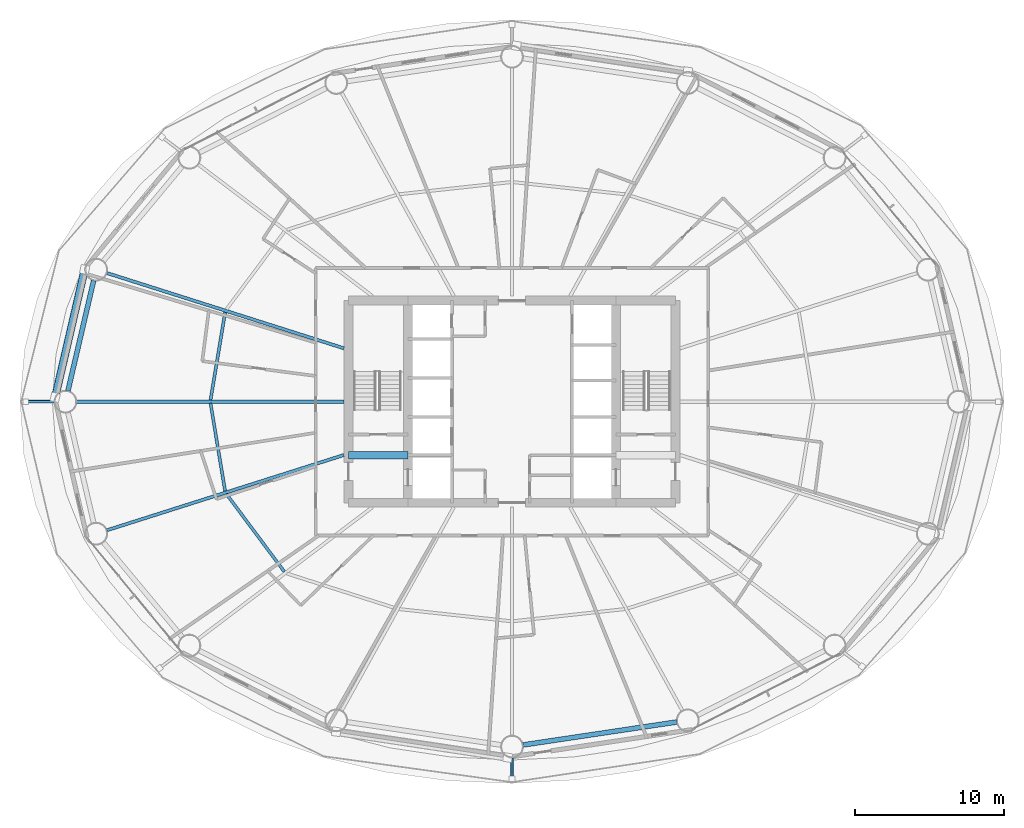
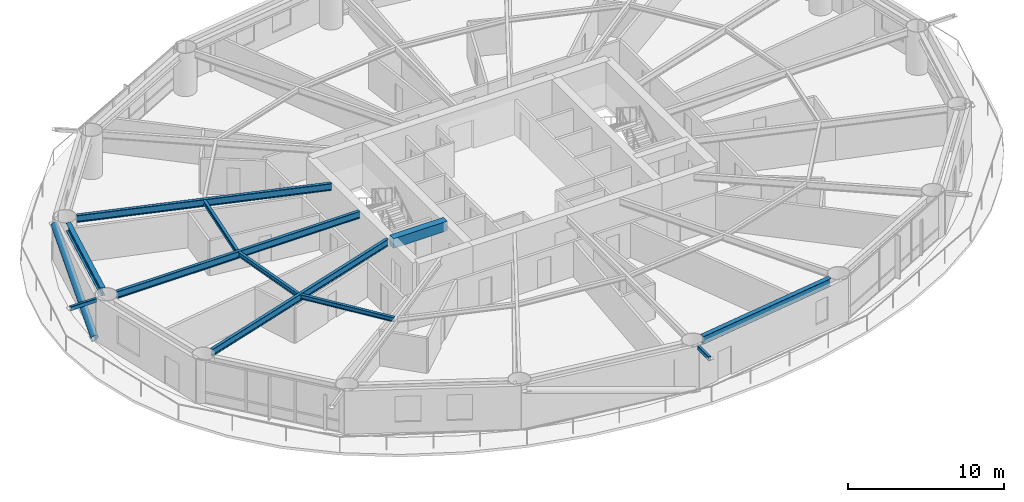
# One storey, part 5 of 26: 9 beams, 3 members.
"""IFC4 building model written with IfcOpenShell, lengths in metres."""

from ifc_helpers import new_model, si_unit, direction, frame, origin, origin_2d, place, context, subcontext, project, spatial, rectangle, hollow_rectangle, hollow_circle, i_section, extrude, material, material_profile, profile_set, type_object, element, save


model = new_model("IFC4")

# Units and contexts
model_context = context("Model", 3, precision=1e-05, world=origin(), true_north=direction((0.0, 1.0)))
body_context = subcontext(model_context, "Body", "Model", "MODEL_VIEW")
ifc_project = project(units=[si_unit("LENGTHUNIT", "METRE"), si_unit("AREAUNIT", "SQUARE_METRE"), si_unit("VOLUMEUNIT", "CUBIC_METRE"), si_unit("PLANEANGLEUNIT", "RADIAN"), si_unit("MASSUNIT", "GRAM", prefix="KILO")], contexts=[model_context])

# Site, building, storey
site_placement = place(None, origin())
site = spatial("IfcSite", under=ifc_project, at=site_placement, CompositionType="ELEMENT")
building_placement = place(site_placement, origin())
building = spatial("IfcBuilding", under=site, at=building_placement, Name="Sarneth Arch Tower", CompositionType="ELEMENT")
storey_placement = place(building_placement, frame((0.0, 0.0, 64.199951171875)))
storey = spatial("IfcBuildingStorey", under=building, at=storey_placement, Name="L15", CompositionType="ELEMENT", Elevation=64.199951171875)

# Beams
ifc_material_1 = material(Name="Steel S355", Category="steel")
ifc_material_profile_1 = material_profile(ifc_material_1, i_section(OverallWidth=0.202880859375, OverallDepth=0.346923828125, WebThickness=0.0078125, FlangeThickness=0.013427734375, FilletRadius=0.014892578125, at=origin_2d()), Name="W360x64")
ifc_profile_set_1 = profile_set([ifc_material_profile_1], Name="Steel S355")
beam_type_1 = type_object("IfcBeamType", Name="BM-JOIST-360C", PredefinedType="JOIST", material=ifc_profile_set_1)
for number, where, z_axis, x_axis, name in (
    (1, (28.70703125, 48.013916015625, 3.20654296875), (-0.16394288124, -0.986469833138, 0.0), (0.986469833138, -0.16394288124, 0.0), "L15 Secondary floor joist 08"),
    (2, (27.72509765625, 41.89453125, 3.20654296875), (0.16394288124, -0.986469833138, 0.0), (0.986469833138, 0.16394288124, 0.0), "L15 Secondary floor joist 09"),
):
    element("IfcBeam", number, at=place(storey_placement, frame(where, z_axis=z_axis, x_axis=x_axis)), inside=storey, type_object=beam_type_1, Name=name, PredefinedType="JOIST", context=body_context, shape_type="SweptSolid", body=[
        extrude(i_section(OverallWidth=0.202880859375, OverallDepth=0.346923828125, WebThickness=0.0078125, FlangeThickness=0.013427734375, FilletRadius=0.014892578125, at=origin_2d()), origin(), (0.0, 0.0, 1.0), 5.989501953125),
    ])
beam_1_placement = place(storey_placement, frame((28.78857421875, 35.794921875, 3.20654296875), z_axis=(0.597700490469, -0.801719479428, 0.0), x_axis=(0.801719479428, 0.597700490469, 0.0)))
element("IfcBeam", 3, at=beam_1_placement, inside=storey, type_object=beam_type_1, Name="L15 Secondary floor joist 10", PredefinedType="JOIST", context=body_context, shape_type="SweptSolid", body=[
    extrude(i_section(OverallWidth=0.202880859375, OverallDepth=0.346923828125, WebThickness=0.0078125, FlangeThickness=0.013427734375, FilletRadius=0.014892578125, at=origin_2d()), origin(), (0.0, 0.0, 1.0), 6.5302734375),
])
ifc_material_2 = material(Name="Concrete C50/60", Category="concrete")
ifc_material_profile_2 = material_profile(ifc_material_2, rectangle(XDim=0.5, YDim=0.75, at=origin_2d()), Name="RC-500x750")
ifc_profile_set_2 = profile_set([ifc_material_profile_2], Name="Concrete C50/60")
beam_type_2 = type_object("IfcBeamType", Name="BM-LINTEL-RC", PredefinedType="LINTEL", material=ifc_profile_set_2)
beam_2_placement = place(storey_placement, frame((37.0, 38.39990234375, 3.005126953125), z_axis=(1.0, 0.0, 0.0), x_axis=(0.0, 1.0, 0.0)))
element("IfcBeam", 4, at=beam_2_placement, inside=storey, type_object=beam_type_2, Name="L15 Core coupling lintel W", PredefinedType="LINTEL", context=body_context, shape_type="SweptSolid", body=[
    extrude(rectangle(XDim=0.5, YDim=0.75, at=origin_2d()), origin(), (0.0, 0.0, 1.0), 4.0),
])
ifc_material_3 = material(Name="Steel S355", Category="steel")
ifc_material_profile_3 = material_profile(ifc_material_3, i_section(OverallWidth=0.214111328125, OverallDepth=0.549072265625, WebThickness=0.0146484375, FlangeThickness=0.023681640625, FilletRadius=0.01806640625, at=origin_2d()), Name="W530x138")
ifc_profile_set_3 = profile_set([ifc_material_profile_3], Name="Steel S355")
beam_type_3 = type_object("IfcBeamType", Name="BM-RAD-530A", PredefinedType="BEAM", material=ifc_profile_set_3)
beam_3_placement = place(storey_placement, frame((36.699951171875, 45.58740234375, 3.10546875), z_axis=(-0.953119859464, 0.30259301627, 0.0), x_axis=(-0.30259301627, -0.953119859464, 0.0)))
element("IfcBeam", 5, at=beam_3_placement, inside=storey, type_object=beam_type_3, Name="L15 Radial floor girder 08", PredefinedType="BEAM", context=body_context, shape_type="SweptSolid", body=[
    extrude(i_section(OverallWidth=0.214111328125, OverallDepth=0.549072265625, WebThickness=0.0146484375, FlangeThickness=0.023681640625, FilletRadius=0.01806640625, at=origin_2d()), origin(), (0.0, 0.0, 1.0), 16.7353515625),
])
beam_4_placement = place(storey_placement, frame((36.699951171875, 42.0, 3.10546875), z_axis=(-1.0, 0.0, 0.0), x_axis=(0.0, -1.0, 0.0)))
element("IfcBeam", 6, at=beam_4_placement, inside=storey, type_object=beam_type_3, Name="L15 Radial floor girder 09", PredefinedType="BEAM", context=body_context, shape_type="SweptSolid", body=[
    extrude(i_section(OverallWidth=0.214111328125, OverallDepth=0.549072265625, WebThickness=0.0146484375, FlangeThickness=0.023681640625, FilletRadius=0.01806640625, at=origin_2d()), origin(), (0.0, 0.0, 1.0), 17.98486328125),
])
beam_5_placement = place(storey_placement, frame((36.699951171875, 38.41259765625, 3.10546875), z_axis=(-0.953119859464, -0.30259301627, 0.0), x_axis=(0.30259301627, -0.953119859464, 0.0)))
element("IfcBeam", 7, at=beam_5_placement, inside=storey, type_object=beam_type_3, Name="L15 Radial floor girder 10", PredefinedType="BEAM", context=body_context, shape_type="SweptSolid", body=[
    extrude(i_section(OverallWidth=0.214111328125, OverallDepth=0.549072265625, WebThickness=0.0146484375, FlangeThickness=0.023681640625, FilletRadius=0.01806640625, at=origin_2d()), origin(), (0.0, 0.0, 1.0), 16.7353515625),
])
ifc_material_4 = material(Name="Steel S355", Category="steel")
ifc_material_profile_4 = material_profile(ifc_material_4, i_section(OverallWidth=0.326904296875, OverallDepth=0.6220703125, WebThickness=0.015380859375, FlangeThickness=0.0244140625, FilletRadius=0.01904296875, at=origin_2d()), Name="W610x195")
ifc_profile_set_4 = profile_set([ifc_material_profile_4], Name="Steel S355")
beam_type_4 = type_object("IfcBeamType", Name="BM-SPAN-610A", PredefinedType="SPANDREL", material=ifc_profile_set_4)
beam_6_placement = place(storey_placement, frame((19.8642578125, 50.14794921875, 3.069091796875), z_axis=(-0.226982354826, -0.973898870827, 0.0), x_axis=(0.973898870827, -0.226982354826, 0.0)))
element("IfcBeam", 8, at=beam_6_placement, inside=storey, type_object=beam_type_4, Name="L15 Perimeter spandrel beam 08", PredefinedType="SPANDREL", context=body_context, shape_type="SweptSolid", body=[
    extrude(i_section(OverallWidth=0.326904296875, OverallDepth=0.6220703125, WebThickness=0.015380859375, FlangeThickness=0.0244140625, FilletRadius=0.01904296875, at=origin_2d()), origin(), (0.0, 0.0, 1.0), 7.6162109375),
])
beam_7_placement = place(storey_placement, frame((48.74169921875, 18.910888671875, 3.069091796875), z_axis=(0.989020169581, 0.147780594675, 0.0), x_axis=(-0.147780594675, 0.989020169581, 0.0)))
element("IfcBeam", 9, at=beam_7_placement, inside=storey, type_object=beam_type_4, Name="L15 Perimeter spandrel beam 13", PredefinedType="SPANDREL", context=body_context, shape_type="SweptSolid", body=[
    extrude(i_section(OverallWidth=0.326904296875, OverallDepth=0.6220703125, WebThickness=0.015380859375, FlangeThickness=0.0244140625, FilletRadius=0.01904296875, at=origin_2d()), origin(), (0.0, 0.0, 1.0), 10.44921875),
])

# Members
ifc_material_5 = material(Name="Steel S355", Category="steel")
ifc_material_profile_5 = material_profile(ifc_material_5, hollow_rectangle(XDim=0.199951171875, YDim=0.300048828125, WallThickness=0.012451171875, InnerFilletRadius=0.018798828125, OuterFilletRadius=0.03125, at=origin_2d()), Name="RHS300x200x12.5")
ifc_profile_set_5 = profile_set([ifc_material_profile_5], Name="Steel S355")
member_type_1 = type_object("IfcMemberType", Name="MEM-CANT-STRUT", PredefinedType="STRUT", material=ifc_profile_set_5)
member_1_placement = place(storey_placement, frame((17.215087890625, 42.0, 3.219970703125), z_axis=(-1.0, 0.0, 0.0), x_axis=(0.0, -1.0, 0.0)))
element("IfcMember", 10, at=member_1_placement, inside=storey, type_object=member_type_1, Name="L15 Balcony cantilever bracket 09", PredefinedType="STRUT", context=body_context, shape_type="SweptSolid", body=[
    extrude(hollow_rectangle(XDim=0.199951171875, YDim=0.300048828125, WallThickness=0.012451171875, InnerFilletRadius=0.018798828125, OuterFilletRadius=0.03125, at=origin_2d()), origin(), (0.0, 0.0, 1.0), 1.929931640625),
])
member_2_placement = place(storey_placement, frame((48.0, 18.050048828125, 3.219970703125), z_axis=(0.0, -1.0, 0.0), x_axis=(1.0, 0.0, 0.0)))
element("IfcMember", 11, at=member_2_placement, inside=storey, type_object=member_type_1, Name="L15 Balcony cantilever bracket 13", PredefinedType="STRUT", context=body_context, shape_type="SweptSolid", body=[
    extrude(hollow_rectangle(XDim=0.199951171875, YDim=0.300048828125, WallThickness=0.012451171875, InnerFilletRadius=0.018798828125, OuterFilletRadius=0.03125, at=origin_2d()), origin(), (0.0, 0.0, 1.0), 1.420166015625),
])
ifc_material_6 = material(Name="Steel S355", Category="steel")
ifc_material_profile_6 = material_profile(ifc_material_6, hollow_circle(Radius=0.25390625, WallThickness=0.01611328125, at=origin_2d()), Name="CHS508x16")
ifc_profile_set_6 = profile_set([ifc_material_profile_6], Name="Steel S355")
member_type_2 = type_object("IfcMemberType", Name="MEM-DIAG-BR1", PredefinedType="BRACE", material=ifc_profile_set_6)
member_3_placement = place(storey_placement, frame((17.274658203125, 42.292236328125, 0.02001953125), z_axis=(0.213332307958, 0.922814312474, 0.320785085492), x_axis=(-0.974304339016, 0.225235554419, 0.0)))
element("IfcMember", 12, at=member_3_placement, inside=storey, type_object=member_type_2, Name="L15 Perimeter frame diagonal 08", PredefinedType="BRACE", context=body_context, shape_type="SweptSolid", body=[
    extrude(hollow_circle(Radius=0.25390625, WallThickness=0.01611328125, at=origin_2d()), origin(), (0.0, 0.0, 1.0), 9.31103515625),
])

save(model, "model.ifc")
